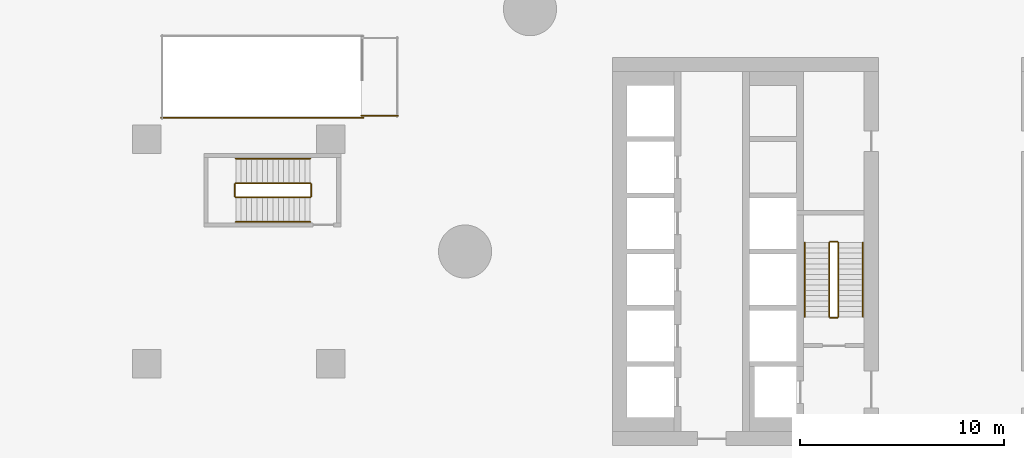
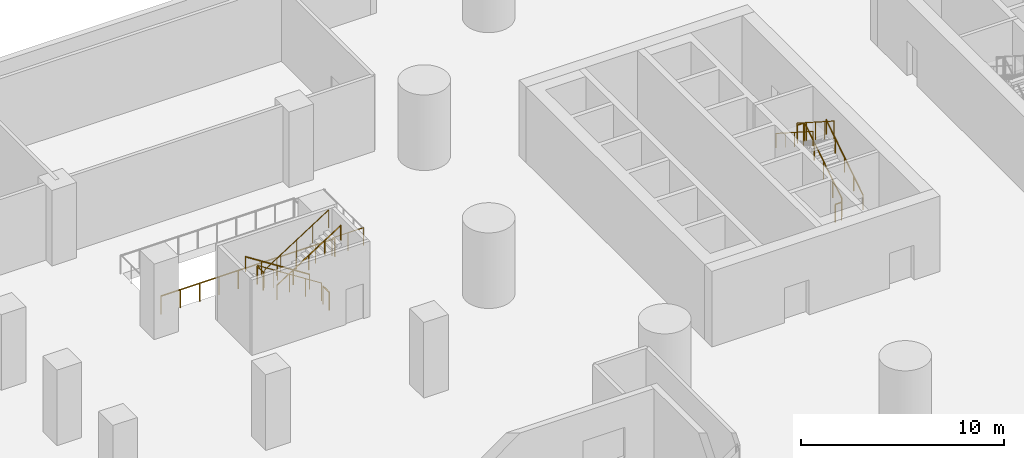
# One storey, part 32 of 38: 14 railings.
"""IFC4 building model written with IfcOpenShell, lengths in metres."""

from ifc_helpers import new_model, si_unit, direction, frame, origin, origin_2d, place, context, subcontext, project, spatial, circle, extrude, material, type_object, element, save


model = new_model("IFC4")

# Units and contexts
model_context = context("Model", 3, precision=1e-05, world=origin(), true_north=direction((0.0, 1.0)))
body_context = subcontext(model_context, "Body", "Model", "MODEL_VIEW")
ifc_project = project(units=[si_unit("LENGTHUNIT", "METRE"), si_unit("AREAUNIT", "SQUARE_METRE"), si_unit("VOLUMEUNIT", "CUBIC_METRE"), si_unit("PLANEANGLEUNIT", "RADIAN"), si_unit("MASSUNIT", "GRAM", prefix="KILO")], contexts=[model_context])

# Site, building, storey
site_placement = place(None, origin())
site = spatial("IfcSite", under=ifc_project, at=site_placement, CompositionType="ELEMENT")
building_placement = place(site_placement, origin())
building = spatial("IfcBuilding", under=site, at=building_placement, Name="Tamarind Cross Interchange Tower", CompositionType="ELEMENT")
storey_placement = place(building_placement, frame((0.0, 0.0, 20.0)))
storey = spatial("IfcBuildingStorey", under=building, at=storey_placement, Name="L03", CompositionType="ELEMENT", Elevation=20.0)

# Railings
ifc_material_1 = material(Name="Public stair guard")
railing_type_1 = type_object("IfcRailingType", Name="Public stair guard", PredefinedType="GUARDRAIL", material=ifc_material_1)
railing_1_placement = place(storey_placement, frame((-28.699951171875, 6.550048828125, 0.0)))
element("IfcRailing", 1, at=railing_1_placement, inside=storey, type_object=railing_type_1, Name="L03 PS-W top well guard 3", PredefinedType="GUARDRAIL", context=body_context, shape_type="SweptSolid", body=[
    extrude(circle(Radius=0.02392578125, at=origin_2d()), frame((0.0, 0.0, 1.076171875), z_axis=(-1.0, 0.0, 0.0), x_axis=(0.0, -1.0, 0.0)), (0.0, 0.0, 1.0), 9.900146484375),
    extrude(circle(Radius=0.02099609375, at=origin_2d()), origin(), (0.0, 0.0, 1.0), 1.052001953125),
    extrude(circle(Radius=0.02099609375, at=origin_2d()), frame((-1.10009765625, 0.0, 0.0)), (0.0, 0.0, 1.0), 1.052001953125),
    extrude(circle(Radius=0.02099609375, at=origin_2d()), frame((-2.199951171875, 0.0, 0.0)), (0.0, 0.0, 1.0), 1.052001953125),
    extrude(circle(Radius=0.02099609375, at=origin_2d()), frame((-3.300048828125, 0.0, 0.0)), (0.0, 0.0, 1.0), 1.052001953125),
    extrude(circle(Radius=0.02099609375, at=origin_2d()), frame((-4.400146484375, 0.0, 0.0)), (0.0, 0.0, 1.0), 1.052001953125),
    extrude(circle(Radius=0.02099609375, at=origin_2d()), frame((-5.5, 0.0, 0.0)), (0.0, 0.0, 1.0), 1.052001953125),
    extrude(circle(Radius=0.02099609375, at=origin_2d()), frame((-6.60009765625, 0.0, 0.0)), (0.0, 0.0, 1.0), 1.052001953125),
    extrude(circle(Radius=0.02099609375, at=origin_2d()), frame((-7.7001953125, 0.0, 0.0)), (0.0, 0.0, 1.0), 1.052001953125),
    extrude(circle(Radius=0.02099609375, at=origin_2d()), frame((-8.800048828125, 0.0, 0.0)), (0.0, 0.0, 1.0), 1.052001953125),
    extrude(circle(Radius=0.02099609375, at=origin_2d()), frame((-9.900146484375, 0.0, 0.0)), (0.0, 0.0, 1.0), 1.052001953125),
])
railing_2_placement = place(storey_placement, frame((-27.0, 6.64990234375, 0.0)))
element("IfcRailing", 2, at=railing_2_placement, inside=storey, type_object=railing_type_1, Name="L03 PS-W top well guard 6", PredefinedType="GUARDRAIL", context=body_context, shape_type="SweptSolid", body=[
    extrude(circle(Radius=0.02392578125, at=origin_2d()), frame((0.0, 0.0, 1.076171875), z_axis=(-1.0, 0.0, 0.0), x_axis=(0.0, -1.0, 0.0)), (0.0, 0.0, 1.0), 1.800048828125),
    extrude(circle(Radius=0.02099609375, at=origin_2d()), origin(), (0.0, 0.0, 1.0), 1.052001953125),
    extrude(circle(Radius=0.02099609375, at=origin_2d()), frame((-0.89990234375, 0.0, 0.0)), (0.0, 0.0, 1.0), 1.052001953125),
    extrude(circle(Radius=0.02099609375, at=origin_2d()), frame((-1.800048828125, 0.0, 0.0)), (0.0, 0.0, 1.0), 1.052001953125),
])
ifc_material_2 = material(Name="Stair guard")
railing_type_2 = type_object("IfcRailingType", Name="Stair guard", PredefinedType="GUARDRAIL", material=ifc_material_2)
railing_3_placement = place(storey_placement, frame((-5.449951171875, -3.199951171875, 0.166748046875)))
element("IfcRailing", 3, at=railing_3_placement, inside=storey, type_object=railing_type_2, Name="L03 ST1 stair guard 1", PredefinedType="GUARDRAIL", context=body_context, shape_type="SweptSolid", body=[
    extrude(circle(Radius=0.02392578125, at=origin_2d()), frame((0.0, 0.0, 1.076171875), z_axis=(0.0, 0.841880454617, 0.539664062296), x_axis=(-1.0, 0.0, 0.0)), (0.0, 0.0, 1.0), 4.323486328125),
    extrude(circle(Radius=0.02099609375, at=origin_2d()), origin(), (0.0, 0.0, 1.0), 1.052001953125),
    extrude(circle(Radius=0.02099609375, at=origin_2d()), frame((0.0, 0.909912109375, 0.583251953125)), (0.0, 0.0, 1.0), 1.052001953125),
    extrude(circle(Radius=0.02099609375, at=origin_2d()), frame((0.0, 1.81982421875, 1.16650390625)), (0.0, 0.0, 1.0), 1.052001953125),
    extrude(circle(Radius=0.02099609375, at=origin_2d()), frame((0.0, 2.72998046875, 1.75)), (0.0, 0.0, 1.0), 1.052001953125),
    extrude(circle(Radius=0.02099609375, at=origin_2d()), frame((0.0, 3.639892578125, 2.333251953125)), (0.0, 0.0, 1.0), 1.052001953125),
])
railing_4_placement = place(storey_placement, frame((-5.5, 0.489990234375, 2.5)))
element("IfcRailing", 4, at=railing_4_placement, inside=storey, type_object=railing_type_2, Name="L03 ST1 stair guard 2", PredefinedType="GUARDRAIL", context=body_context, shape_type="SweptSolid", body=[
    extrude(circle(Radius=0.02392578125, at=origin_2d()), frame((0.0, 0.0, 1.076171875), z_axis=(-1.0, 0.0, 0.0), x_axis=(0.0, -1.0, 0.0)), (0.0, 0.0, 1.0), 0.35009765625),
    extrude(circle(Radius=0.02099609375, at=origin_2d()), origin(), (0.0, 0.0, 1.0), 1.052001953125),
    extrude(circle(Radius=0.02099609375, at=origin_2d()), frame((-0.35009765625, 0.0, 0.0)), (0.0, 0.0, 1.0), 1.052001953125),
])
railing_5_placement = place(storey_placement, frame((-5.89990234375, 0.43994140625, 2.666748046875)))
element("IfcRailing", 5, at=railing_5_placement, inside=storey, type_object=railing_type_2, Name="L03 ST1 stair guard 3", PredefinedType="GUARDRAIL", context=body_context, shape_type="SweptSolid", body=[
    extrude(circle(Radius=0.02392578125, at=origin_2d()), frame((0.0, 0.0, 1.076171875), z_axis=(0.0, -0.841880454617, 0.539664062296), x_axis=(1.0, 0.0, 0.0)), (0.0, 0.0, 1.0), 4.323486328125),
    extrude(circle(Radius=0.02099609375, at=origin_2d()), origin(), (0.0, 0.0, 1.0), 1.052001953125),
    extrude(circle(Radius=0.02099609375, at=origin_2d()), frame((0.0, -0.909912109375, 0.583251953125)), (0.0, 0.0, 1.0), 1.052001953125),
    extrude(circle(Radius=0.02099609375, at=origin_2d()), frame((0.0, -1.81982421875, 1.16650390625)), (0.0, 0.0, 1.0), 1.052001953125),
    extrude(circle(Radius=0.02099609375, at=origin_2d()), frame((0.0, -2.72998046875, 1.75)), (0.0, 0.0, 1.0), 1.052001953125),
    extrude(circle(Radius=0.02099609375, at=origin_2d()), frame((0.0, -3.639892578125, 2.333251953125)), (0.0, 0.0, 1.0), 1.052001953125),
])
railing_6_placement = place(storey_placement, frame((-5.5, -3.25, 0.0)))
element("IfcRailing", 6, at=railing_6_placement, inside=storey, type_object=railing_type_2, Name="L03 ST1 stair guard 4", PredefinedType="GUARDRAIL", context=body_context, shape_type="SweptSolid", body=[
    extrude(circle(Radius=0.02392578125, at=origin_2d()), frame((0.0, 0.0, 1.076171875), z_axis=(-1.0, 0.0, 0.0), x_axis=(0.0, -1.0, 0.0)), (0.0, 0.0, 1.0), 0.35009765625),
    extrude(circle(Radius=0.02099609375, at=origin_2d()), origin(), (0.0, 0.0, 1.0), 1.052001953125),
    extrude(circle(Radius=0.02099609375, at=origin_2d()), frame((-0.35009765625, 0.0, 0.0)), (0.0, 0.0, 1.0), 1.052001953125),
])
railing_7_placement = place(storey_placement, frame((-31.300048828125, 3.35009765625, 0.166748046875)))
element("IfcRailing", 7, at=railing_7_placement, inside=storey, type_object=railing_type_2, Name="L03 ST5 stair guard 1", PredefinedType="GUARDRAIL", context=body_context, shape_type="SweptSolid", body=[
    extrude(circle(Radius=0.02392578125, at=origin_2d()), frame((0.0, 0.0, 1.076171875), z_axis=(-0.841880454617, 0.0, 0.539664062296), x_axis=(0.0, -1.0, 0.0)), (0.0, 0.0, 1.0), 4.323486328125),
    extrude(circle(Radius=0.02099609375, at=origin_2d()), origin(), (0.0, 0.0, 1.0), 1.052001953125),
    extrude(circle(Radius=0.02099609375, at=origin_2d()), frame((-0.909912109375, 0.0, 0.583251953125)), (0.0, 0.0, 1.0), 1.052001953125),
    extrude(circle(Radius=0.02099609375, at=origin_2d()), frame((-1.81982421875, 0.0, 1.16650390625)), (0.0, 0.0, 1.0), 1.052001953125),
    extrude(circle(Radius=0.02099609375, at=origin_2d()), frame((-2.72998046875, 0.0, 1.75)), (0.0, 0.0, 1.0), 1.052001953125),
    extrude(circle(Radius=0.02099609375, at=origin_2d()), frame((-3.639892578125, 0.0, 2.333251953125)), (0.0, 0.0, 1.0), 1.052001953125),
])
railing_8_placement = place(storey_placement, frame((-34.989990234375, 3.300048828125, 2.5)))
element("IfcRailing", 8, at=railing_8_placement, inside=storey, type_object=railing_type_2, Name="L03 ST5 stair guard 2", PredefinedType="GUARDRAIL", context=body_context, shape_type="SweptSolid", body=[
    extrude(circle(Radius=0.02392578125, at=origin_2d()), frame((0.0, 0.0, 1.076171875), z_axis=(0.0, -1.0, 0.0), x_axis=(1.0, 0.0, 0.0)), (0.0, 0.0, 1.0), 0.60009765625),
    extrude(circle(Radius=0.02099609375, at=origin_2d()), origin(), (0.0, 0.0, 1.0), 1.052001953125),
    extrude(circle(Radius=0.02099609375, at=origin_2d()), frame((0.0, -0.60009765625, 0.0)), (0.0, 0.0, 1.0), 1.052001953125),
])
railing_9_placement = place(storey_placement, frame((-34.93994140625, 2.64990234375, 2.666748046875)))
element("IfcRailing", 9, at=railing_9_placement, inside=storey, type_object=railing_type_2, Name="L03 ST5 stair guard 3", PredefinedType="GUARDRAIL", context=body_context, shape_type="SweptSolid", body=[
    extrude(circle(Radius=0.02392578125, at=origin_2d()), frame((0.0, 0.0, 1.076171875), z_axis=(0.841880454617, 0.0, 0.539664062296), x_axis=(0.0, 1.0, 0.0)), (0.0, 0.0, 1.0), 4.323486328125),
    extrude(circle(Radius=0.02099609375, at=origin_2d()), origin(), (0.0, 0.0, 1.0), 1.052001953125),
    extrude(circle(Radius=0.02099609375, at=origin_2d()), frame((0.909912109375, 0.0, 0.583251953125)), (0.0, 0.0, 1.0), 1.052001953125),
    extrude(circle(Radius=0.02099609375, at=origin_2d()), frame((1.81982421875, 0.0, 1.16650390625)), (0.0, 0.0, 1.0), 1.052001953125),
    extrude(circle(Radius=0.02099609375, at=origin_2d()), frame((2.72998046875, 0.0, 1.75)), (0.0, 0.0, 1.0), 1.052001953125),
    extrude(circle(Radius=0.02099609375, at=origin_2d()), frame((3.639892578125, 0.0, 2.333251953125)), (0.0, 0.0, 1.0), 1.052001953125),
])
railing_10_placement = place(storey_placement, frame((-31.25, 3.300048828125, 0.0)))
element("IfcRailing", 10, at=railing_10_placement, inside=storey, type_object=railing_type_2, Name="L03 ST5 stair guard 4", PredefinedType="GUARDRAIL", context=body_context, shape_type="SweptSolid", body=[
    extrude(circle(Radius=0.02392578125, at=origin_2d()), frame((0.0, 0.0, 1.076171875), z_axis=(0.0, -1.0, 0.0), x_axis=(1.0, 0.0, 0.0)), (0.0, 0.0, 1.0), 0.60009765625),
    extrude(circle(Radius=0.02099609375, at=origin_2d()), origin(), (0.0, 0.0, 1.0), 1.052001953125),
    extrude(circle(Radius=0.02099609375, at=origin_2d()), frame((0.0, -0.60009765625, 0.0)), (0.0, 0.0, 1.0), 1.052001953125),
])
ifc_material_3 = material(Name="Stair handrail")
railing_type_3 = type_object("IfcRailingType", Name="Stair handrail", PredefinedType="HANDRAIL", material=ifc_material_3)
railing_11_placement = place(storey_placement, frame((-4.25, -3.199951171875, 0.166748046875)))
element("IfcRailing", 11, at=railing_11_placement, inside=storey, type_object=railing_type_3, Name="L03 ST1 stair handrail 1", PredefinedType="HANDRAIL", context=body_context, shape_type="SweptSolid", body=[
    extrude(circle(Radius=0.02392578125, at=origin_2d()), frame((0.0, 0.0, 0.8759765625), z_axis=(0.0, 0.841880454617, 0.539664062296), x_axis=(-1.0, 0.0, 0.0)), (0.0, 0.0, 1.0), 4.323486328125),
    extrude(circle(Radius=0.02099609375, at=origin_2d()), origin(), (0.0, 0.0, 1.0), 0.851806640625),
    extrude(circle(Radius=0.02099609375, at=origin_2d()), frame((0.0, 0.909912109375, 0.583251953125)), (0.0, 0.0, 1.0), 0.851806640625),
    extrude(circle(Radius=0.02099609375, at=origin_2d()), frame((0.0, 1.81982421875, 1.16650390625)), (0.0, 0.0, 1.0), 0.851806640625),
    extrude(circle(Radius=0.02099609375, at=origin_2d()), frame((0.0, 2.72998046875, 1.75)), (0.0, 0.0, 1.0), 0.851806640625),
    extrude(circle(Radius=0.02099609375, at=origin_2d()), frame((0.0, 3.639892578125, 2.333251953125)), (0.0, 0.0, 1.0), 0.851806640625),
])
railing_12_placement = place(storey_placement, frame((-7.10009765625, 0.43994140625, 2.666748046875)))
element("IfcRailing", 12, at=railing_12_placement, inside=storey, type_object=railing_type_3, Name="L03 ST1 stair handrail 2", PredefinedType="HANDRAIL", context=body_context, shape_type="SweptSolid", body=[
    extrude(circle(Radius=0.02392578125, at=origin_2d()), frame((0.0, 0.0, 0.8759765625), z_axis=(0.0, -0.841880454617, 0.539664062296), x_axis=(1.0, 0.0, 0.0)), (0.0, 0.0, 1.0), 4.323486328125),
    extrude(circle(Radius=0.02099609375, at=origin_2d()), origin(), (0.0, 0.0, 1.0), 0.851806640625),
    extrude(circle(Radius=0.02099609375, at=origin_2d()), frame((0.0, -0.909912109375, 0.583251953125)), (0.0, 0.0, 1.0), 0.851806640625),
    extrude(circle(Radius=0.02099609375, at=origin_2d()), frame((0.0, -1.81982421875, 1.16650390625)), (0.0, 0.0, 1.0), 0.851806640625),
    extrude(circle(Radius=0.02099609375, at=origin_2d()), frame((0.0, -2.72998046875, 1.75)), (0.0, 0.0, 1.0), 0.851806640625),
    extrude(circle(Radius=0.02099609375, at=origin_2d()), frame((0.0, -3.639892578125, 2.333251953125)), (0.0, 0.0, 1.0), 0.851806640625),
])
railing_13_placement = place(storey_placement, frame((-31.300048828125, 4.550048828125, 0.166748046875)))
element("IfcRailing", 13, at=railing_13_placement, inside=storey, type_object=railing_type_3, Name="L03 ST5 stair handrail 1", PredefinedType="HANDRAIL", context=body_context, shape_type="SweptSolid", body=[
    extrude(circle(Radius=0.02392578125, at=origin_2d()), frame((0.0, 0.0, 0.8759765625), z_axis=(-0.841880454617, 0.0, 0.539664062296), x_axis=(0.0, -1.0, 0.0)), (0.0, 0.0, 1.0), 4.323486328125),
    extrude(circle(Radius=0.02099609375, at=origin_2d()), origin(), (0.0, 0.0, 1.0), 0.851806640625),
    extrude(circle(Radius=0.02099609375, at=origin_2d()), frame((-0.909912109375, 0.0, 0.583251953125)), (0.0, 0.0, 1.0), 0.851806640625),
    extrude(circle(Radius=0.02099609375, at=origin_2d()), frame((-1.81982421875, 0.0, 1.16650390625)), (0.0, 0.0, 1.0), 0.851806640625),
    extrude(circle(Radius=0.02099609375, at=origin_2d()), frame((-2.72998046875, 0.0, 1.75)), (0.0, 0.0, 1.0), 0.851806640625),
    extrude(circle(Radius=0.02099609375, at=origin_2d()), frame((-3.639892578125, 0.0, 2.333251953125)), (0.0, 0.0, 1.0), 0.851806640625),
])
railing_14_placement = place(storey_placement, frame((-34.93994140625, 1.449951171875, 2.666748046875)))
element("IfcRailing", 14, at=railing_14_placement, inside=storey, type_object=railing_type_3, Name="L03 ST5 stair handrail 2", PredefinedType="HANDRAIL", context=body_context, shape_type="SweptSolid", body=[
    extrude(circle(Radius=0.02392578125, at=origin_2d()), frame((0.0, 0.0, 0.8759765625), z_axis=(0.841880454617, 0.0, 0.539664062296), x_axis=(0.0, 1.0, 0.0)), (0.0, 0.0, 1.0), 4.323486328125),
    extrude(circle(Radius=0.02099609375, at=origin_2d()), origin(), (0.0, 0.0, 1.0), 0.851806640625),
    extrude(circle(Radius=0.02099609375, at=origin_2d()), frame((0.909912109375, 0.0, 0.583251953125)), (0.0, 0.0, 1.0), 0.851806640625),
    extrude(circle(Radius=0.02099609375, at=origin_2d()), frame((1.81982421875, 0.0, 1.16650390625)), (0.0, 0.0, 1.0), 0.851806640625),
    extrude(circle(Radius=0.02099609375, at=origin_2d()), frame((2.72998046875, 0.0, 1.75)), (0.0, 0.0, 1.0), 0.851806640625),
    extrude(circle(Radius=0.02099609375, at=origin_2d()), frame((3.639892578125, 0.0, 2.333251953125)), (0.0, 0.0, 1.0), 0.851806640625),
])

save(model, "model.ifc")
